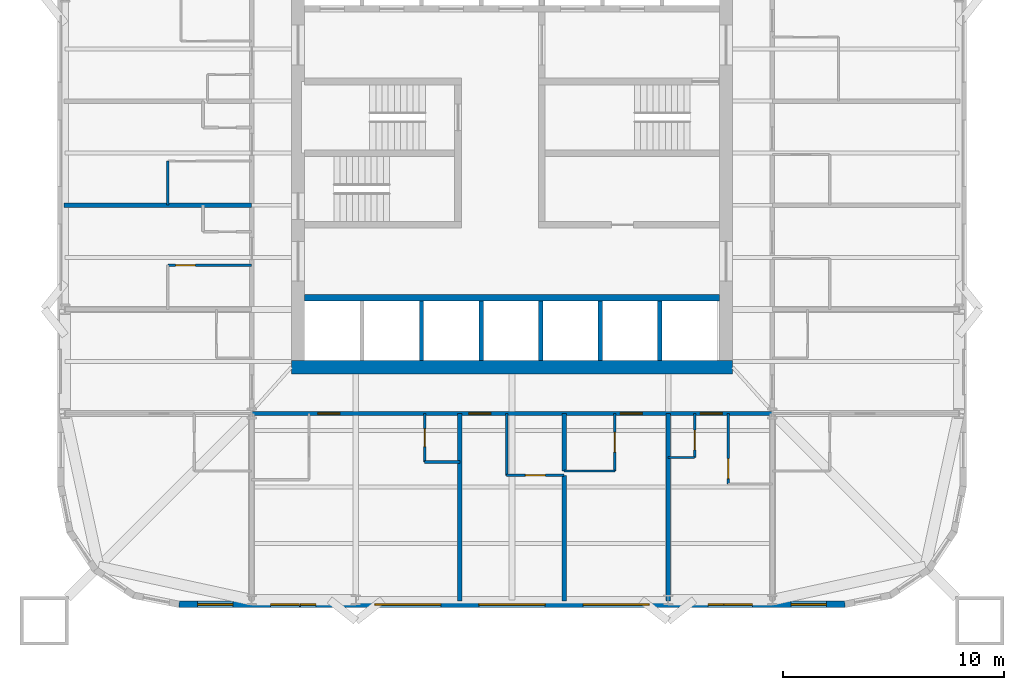
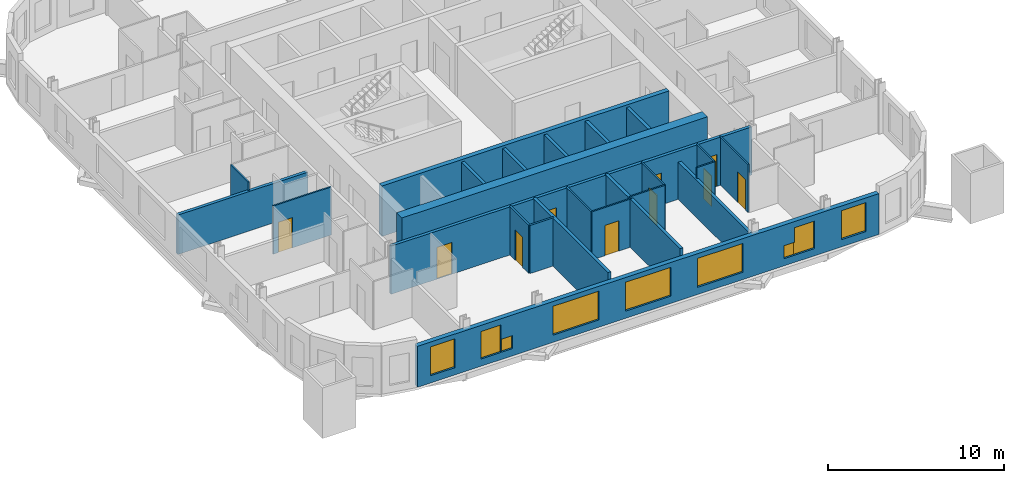
# One storey, part 3 of 9: 25 walls, 10 doors, 9 windows, 19 openings.
"""IFC4 building model written with IfcOpenShell, lengths in metres."""

from ifc_helpers import new_model, si_unit, direction, frame, frame_2d, origin, place, context, subcontext, project, spatial, rectangle, extrude, material, layer, layer_set, type_object, element, fill, save


model = new_model("IFC4")

# Units and contexts
model_context = context("Model", 3, precision=1e-05, world=origin(), true_north=direction((0.0, 1.0)))
body_context = subcontext(model_context, "Body", "Model", "MODEL_VIEW")
ifc_project = project(units=[si_unit("LENGTHUNIT", "METRE"), si_unit("AREAUNIT", "SQUARE_METRE"), si_unit("VOLUMEUNIT", "CUBIC_METRE"), si_unit("PLANEANGLEUNIT", "RADIAN"), si_unit("MASSUNIT", "GRAM", prefix="KILO")], contexts=[model_context])

# Site, building, storey
site_placement = place(None, origin())
site = spatial("IfcSite", under=ifc_project, at=site_placement, CompositionType="ELEMENT")
building_placement = place(site_placement, origin())
building = spatial("IfcBuilding", under=site, at=building_placement, Name="Turquesa Mirador Hotel Tower", CompositionType="ELEMENT")
storey_placement = place(building_placement, frame((0.0, 0.0, 135.39990234375)))
storey = spatial("IfcBuildingStorey", under=building, at=storey_placement, Name="L36", CompositionType="ELEMENT", Elevation=135.39990234375)

# Walls
ifc_material_1 = material(Name="Gypsum board on steel studs", Category="steel")
ifc_layer_1 = layer(ifc_material_1, 0.10009765625)
ifc_layer_set_1 = layer_set([ifc_layer_1], Name="BATHROOM WALL 100")
wall_type_1 = type_object("IfcWallType", Name="BATHROOM WALL 100", PredefinedType="PARTITIONING", material=ifc_layer_set_1)
wall_1_placement = place(storey_placement, frame((62.080078125, 31.199951171875, 0.0), z_axis=(0.0, 0.0, 1.0), x_axis=(1.0, 0.0, 0.0)))
element("IfcWall", 1, at=wall_1_placement, inside=storey, type_object=wall_type_1, Name="Partition L36 008", PredefinedType="PARTITIONING", context=body_context, shape_type="SweptSolid", body=[
    extrude(rectangle(XDim=1.199951171875, YDim=0.10009765625, at=frame_2d((0.60009765625, 0.0))), origin(), (0.0, 0.0, 1.0), 3.330078125),
])
wall_2_placement = place(storey_placement, frame((57.360107421875, 30.60009765625, 0.0), z_axis=(0.0, 0.0, 1.0), x_axis=(1.0, 0.0, 0.0)))
element("IfcWall", 2, at=wall_2_placement, inside=storey, type_object=wall_type_1, Name="Partition L36 011", PredefinedType="PARTITIONING", context=body_context, shape_type="SweptSolid", body=[
    extrude(rectangle(XDim=2.2998046875, YDim=0.10009765625, at=frame_2d((1.14990234375, 0.0))), origin(), (0.0, 0.0, 1.0), 3.330078125),
])

# Wall, opening, door
wall_3_placement = place(storey_placement, frame((54.760009765625, 30.39990234375, 0.0), z_axis=(0.0, 0.0, 1.0), x_axis=(1.0, 0.0, 0.0)))
wall_3 = element("IfcWall", 3, at=wall_3_placement, inside=storey, type_object=wall_type_1, Name="Partition L36 013", PredefinedType="PARTITIONING", context=body_context, shape_type="SweptSolid", body=[
    extrude(rectangle(XDim=2.60009765625, YDim=0.10009765625, at=frame_2d((1.300048828125, 0.0))), origin(), (0.0, 0.0, 1.0), 3.330078125),
])
opening_1_placement = place(wall_3_placement, frame((0.85009765625, 0.0, 0.0)))
opening_1 = element("IfcOpeningElement", 4, at=opening_1_placement, cuts=wall_3, Name="Opening D02", PredefinedType="OPENING", context=body_context, shape_type="SweptSolid", body=[
    extrude(rectangle(XDim=0.89990234375, YDim=2.10009765625, at=frame_2d((0.449951171875, 1.050048828125))), frame((0.0, 0.06005859375, 0.0), z_axis=(0.0, -1.0, 0.0), x_axis=(1.0, 0.0, 0.0)), (0.0, 0.0, 1.0), 0.1201171875),
])
ifc_material_2 = material(Name="Timber veneered door", Category="wood")
door_type_1 = type_object("IfcDoorType", Name="DOOR 900X2100 EN-SUITE", OperationType="SINGLE_SWING_RIGHT", PredefinedType="DOOR", material=ifc_material_2)
door_1_placement = place(opening_1_placement, origin())
door_1 = element("IfcDoor", 5, at=door_1_placement, inside=storey, type_object=door_type_1, Name="Door 3605B", OperationType="SINGLE_SWING_RIGHT", OverallHeight=2.10009765625, OverallWidth=0.89990234375, PredefinedType="DOOR", context=body_context, shape_type="SweptSolid", body=[
    extrude(rectangle(XDim=0.89990234375, YDim=2.10009765625, at=frame_2d((0.449951171875, 1.050048828125))), frame((0.0, 0.02490234375, 0.0), z_axis=(0.0, -1.0, 0.0), x_axis=(1.0, 0.0, 0.0)), (0.0, 0.0, 1.0), 0.050048828125),
])
fill(opening_1, door_1)

wall_4_placement = place(storey_placement, frame((39.39990234375, 39.919921875, 0.0), z_axis=(0.0, 0.0, 1.0), x_axis=(1.0, 0.0, 0.0)))
wall_4 = element("IfcWall", 6, at=wall_4_placement, inside=storey, type_object=wall_type_1, Name="Partition L36 020", PredefinedType="PARTITIONING", context=body_context, shape_type="SweptSolid", body=[
    extrude(rectangle(XDim=3.800048828125, YDim=0.10009765625, at=frame_2d((1.89990234375, 0.0))), origin(), (0.0, 0.0, 1.0), 3.330078125),
])
opening_2_placement = place(wall_4_placement, frame((0.35009765625, 0.0, 0.0)))
opening_2 = element("IfcOpeningElement", 7, at=opening_2_placement, cuts=wall_4, Name="Opening D02", PredefinedType="OPENING", context=body_context, shape_type="SweptSolid", body=[
    extrude(rectangle(XDim=0.89990234375, YDim=2.10009765625, at=frame_2d((0.449951171875, 1.050048828125))), frame((0.0, 0.06005859375, 0.0), z_axis=(0.0, -1.0, 0.0), x_axis=(1.0, 0.0, 0.0)), (0.0, 0.0, 1.0), 0.1201171875),
])
door_2_placement = place(opening_2_placement, origin())
door_2 = element("IfcDoor", 8, at=door_2_placement, inside=storey, type_object=door_type_1, Name="Door 3611B", OperationType="SINGLE_SWING_RIGHT", OverallHeight=2.10009765625, OverallWidth=0.89990234375, PredefinedType="DOOR", context=body_context, shape_type="SweptSolid", body=[
    extrude(rectangle(XDim=0.89990234375, YDim=2.10009765625, at=frame_2d((0.449951171875, 1.050048828125))), frame((0.0, 0.02490234375, 0.0), z_axis=(0.0, -1.0, 0.0), x_axis=(1.0, 0.0, 0.0)), (0.0, 0.0, 1.0), 0.050048828125),
])
fill(opening_2, door_2)

# Walls
wall_5_placement = place(storey_placement, frame((54.760009765625, 30.39990234375, 0.0), z_axis=(0.0, 0.0, 1.0), x_axis=(0.0, 1.0, 0.0)))
element("IfcWall", 9, at=wall_5_placement, inside=storey, type_object=wall_type_1, Name="Partition L36 048", PredefinedType="PARTITIONING", context=body_context, shape_type="SweptSolid", body=[
    extrude(rectangle(XDim=2.800048828125, YDim=0.10009765625, at=frame_2d((1.39990234375, 0.0))), origin(), (0.0, 0.0, 1.0), 3.330078125),
])
wall_6_placement = place(storey_placement, frame((39.39990234375, 42.639892578125, 0.0), z_axis=(0.0, 0.0, 1.0), x_axis=(0.0, 1.0, 0.0)))
element("IfcWall", 10, at=wall_6_placement, inside=storey, type_object=wall_type_1, Name="Partition L36 063", PredefinedType="PARTITIONING", context=body_context, shape_type="SweptSolid", body=[
    extrude(rectangle(XDim=2.0, YDim=0.10009765625, at=frame_2d((1.0, 0.0))), origin(), (0.0, 0.0, 1.0), 3.330078125),
])

# Wall, opening, door
wall_7_placement = place(storey_placement, frame((59.659912109375, 30.60009765625, 0.0), z_axis=(0.0, 0.0, 1.0), x_axis=(0.0, 1.0, 0.0)))
wall_7 = element("IfcWall", 11, at=wall_7_placement, inside=storey, type_object=wall_type_1, Name="Partition L36 083", PredefinedType="PARTITIONING", context=body_context, shape_type="SweptSolid", body=[
    extrude(rectangle(XDim=2.599853515625, YDim=0.10009765625, at=frame_2d((1.2998046875, 0.0))), origin(), (0.0, 0.0, 1.0), 3.330078125),
])
opening_3_placement = place(wall_7_placement, frame((0.85009765625, 0.0, 0.0)))
opening_3 = element("IfcOpeningElement", 12, at=opening_3_placement, cuts=wall_7, Name="Opening D02", PredefinedType="OPENING", context=body_context, shape_type="SweptSolid", body=[
    extrude(rectangle(XDim=0.89990234375, YDim=2.10009765625, at=frame_2d((0.449951171875, 1.050048828125))), frame((0.0, 0.06005859375, 0.0), z_axis=(0.0, -1.0, 0.0), x_axis=(1.0, 0.0, 0.0)), (0.0, 0.0, 1.0), 0.1201171875),
])
door_3_placement = place(opening_3_placement, origin())
door_3 = element("IfcDoor", 13, at=door_3_placement, inside=storey, type_object=door_type_1, Name="Door 3606B", OperationType="SINGLE_SWING_RIGHT", OverallHeight=2.10009765625, OverallWidth=0.89990234375, PredefinedType="DOOR", context=body_context, shape_type="SweptSolid", body=[
    extrude(rectangle(XDim=0.89990234375, YDim=2.10009765625, at=frame_2d((0.449951171875, 1.050048828125))), frame((0.0, 0.02490234375, 0.0), z_axis=(0.0, -1.0, 0.0), x_axis=(1.0, 0.0, 0.0)), (0.0, 0.0, 1.0), 0.050048828125),
])
fill(opening_3, door_3)

wall_8_placement = place(storey_placement, frame((63.280029296875, 31.199951171875, 0.0), z_axis=(0.0, 0.0, 1.0), x_axis=(0.0, 1.0, 0.0)))
wall_8 = element("IfcWall", 14, at=wall_8_placement, inside=storey, type_object=wall_type_1, Name="Partition L36 086", PredefinedType="PARTITIONING", context=body_context, shape_type="SweptSolid", body=[
    extrude(rectangle(XDim=2.0, YDim=0.10009765625, at=frame_2d((1.0, 0.0))), origin(), (0.0, 0.0, 1.0), 3.330078125),
])
opening_4_placement = place(wall_8_placement, frame((0.35009765625, 0.0, 0.0)))
opening_4 = element("IfcOpeningElement", 15, at=opening_4_placement, cuts=wall_8, Name="Opening D06", PredefinedType="OPENING", context=body_context, shape_type="SweptSolid", body=[
    extrude(rectangle(XDim=0.89990234375, YDim=2.10009765625, at=frame_2d((0.449951171875, 1.050048828125))), frame((0.0, 0.06005859375, 0.0), z_axis=(0.0, -1.0, 0.0), x_axis=(1.0, 0.0, 0.0)), (0.0, 0.0, 1.0), 0.1201171875),
])
ifc_material_3 = material(Name="Laminate door", Category="wood")
door_type_2 = type_object("IfcDoorType", Name="DOOR 900X2100 WC", OperationType="SINGLE_SWING_LEFT", PredefinedType="DOOR", material=ifc_material_3)
door_4_placement = place(opening_4_placement, origin())
door_4 = element("IfcDoor", 16, at=door_4_placement, inside=storey, type_object=door_type_2, Name="Door 3607W", OperationType="SINGLE_SWING_LEFT", OverallHeight=2.10009765625, OverallWidth=0.89990234375, PredefinedType="DOOR", context=body_context, shape_type="SweptSolid", body=[
    extrude(rectangle(XDim=0.89990234375, YDim=2.10009765625, at=frame_2d((0.449951171875, 1.050048828125))), frame((0.0, 0.02490234375, 0.0), z_axis=(0.0, -1.0, 0.0), x_axis=(1.0, 0.0, 0.0)), (0.0, 0.0, 1.0), 0.050048828125),
])
fill(opening_4, door_4)

wall_9_placement = place(storey_placement, frame((64.800048828125, 30.0, 0.0), z_axis=(0.0, 0.0, 1.0), x_axis=(0.0, 1.0, 0.0)))
wall_9 = element("IfcWall", 17, at=wall_9_placement, inside=storey, type_object=wall_type_1, Name="Partition L36 088", PredefinedType="PARTITIONING", context=body_context, shape_type="SweptSolid", body=[
    extrude(rectangle(XDim=3.199951171875, YDim=0.10009765625, at=frame_2d((1.60009765625, 0.0))), origin(), (0.0, 0.0, 1.0), 3.330078125),
])
opening_5_placement = place(wall_9_placement, frame((0.25, 0.0, 0.0)))
opening_5 = element("IfcOpeningElement", 18, at=opening_5_placement, cuts=wall_9, Name="Opening D02", PredefinedType="OPENING", context=body_context, shape_type="SweptSolid", body=[
    extrude(rectangle(XDim=0.89990234375, YDim=2.10009765625, at=frame_2d((0.449951171875, 1.050048828125))), frame((0.0, 0.06005859375, 0.0), z_axis=(0.0, -1.0, 0.0), x_axis=(1.0, 0.0, 0.0)), (0.0, 0.0, 1.0), 0.1201171875),
])
door_5_placement = place(opening_5_placement, origin())
door_5 = element("IfcDoor", 19, at=door_5_placement, inside=storey, type_object=door_type_1, Name="Door 3607B", OperationType="SINGLE_SWING_RIGHT", OverallHeight=2.10009765625, OverallWidth=0.89990234375, PredefinedType="DOOR", context=body_context, shape_type="SweptSolid", body=[
    extrude(rectangle(XDim=0.89990234375, YDim=2.10009765625, at=frame_2d((0.449951171875, 1.050048828125))), frame((0.0, 0.02490234375, 0.0), z_axis=(0.0, -1.0, 0.0), x_axis=(1.0, 0.0, 0.0)), (0.0, 0.0, 1.0), 0.050048828125),
])
fill(opening_5, door_5)

# Walls
ifc_material_4 = material(Name="Concrete C50/60", Category="concrete")
ifc_layer_2 = layer(ifc_material_4, 0.300048828125)
ifc_layer_set_2 = layer_set([ifc_layer_2], Name="CORE INNER WALL 300")
wall_type_2 = type_object("IfcWallType", Name="CORE INNER WALL 300", PredefinedType="SHEAR", material=ifc_layer_set_2)
wall_10_placement = place(storey_placement, frame((45.60009765625, 38.449951171875, 0.0), z_axis=(0.0, 0.0, 1.0), x_axis=(1.0, 0.0, 0.0)))
element("IfcWall", 20, at=wall_10_placement, inside=storey, type_object=wall_type_2, Name="Core wall SL", PredefinedType="SHEAR", context=body_context, shape_type="SweptSolid", body=[
    extrude(rectangle(XDim=18.7998046875, YDim=0.300048828125, at=frame_2d((9.39990234375, 0.0))), origin(), (0.0, 0.0, 1.0), 3.5),
])
ifc_material_5 = material(Name="Concrete C50/60", Category="concrete")
ifc_layer_3 = layer(ifc_material_5, 0.60009765625)
ifc_layer_set_3 = layer_set([ifc_layer_3], Name="CORE WALL 600")
wall_type_3 = type_object("IfcWallType", Name="CORE WALL 600", PredefinedType="SHEAR", material=ifc_layer_set_3)
wall_11_placement = place(storey_placement, frame((45.0, 35.300048828125, 0.0), z_axis=(0.0, 0.0, 1.0), x_axis=(1.0, 0.0, 0.0)))
element("IfcWall", 21, at=wall_11_placement, inside=storey, type_object=wall_type_3, Name="Core wall S", PredefinedType="SHEAR", context=body_context, shape_type="SweptSolid", body=[
    extrude(rectangle(XDim=20.0, YDim=0.60009765625, at=frame_2d((10.0, 0.0))), origin(), (0.0, 0.0, 1.0), 3.5),
])

# Wall, openings, doors
ifc_material_6 = material(Name="Fire-rated gypsum board on steel studs", Category="steel")
ifc_layer_4 = layer(ifc_material_6, 0.199951171875)
ifc_layer_set_4 = layer_set([ifc_layer_4], Name="CORRIDOR WALL 200")
wall_type_4 = type_object("IfcWallType", Name="CORRIDOR WALL 200", PredefinedType="PARTITIONING", material=ifc_layer_set_4)
wall_12_placement = place(storey_placement, frame((43.199951171875, 33.199951171875, 0.0), z_axis=(0.0, 0.0, 1.0), x_axis=(1.0, 0.0, 0.0)))
wall_12 = element("IfcWall", 22, at=wall_12_placement, inside=storey, type_object=wall_type_4, Name="Partition L36 005", PredefinedType="PARTITIONING", context=body_context, shape_type="SweptSolid", body=[
    extrude(rectangle(XDim=23.60009765625, YDim=0.199951171875, at=frame_2d((11.800048828125, 0.0))), origin(), (0.0, 0.0, 1.0), 3.330078125),
])
opening_6_placement = place(wall_12_placement, frame((3.0, 0.0, 0.0)))
opening_6 = element("IfcOpeningElement", 23, at=opening_6_placement, cuts=wall_12, Name="Opening D01", PredefinedType="OPENING", context=body_context, shape_type="SweptSolid", body=[
    extrude(rectangle(XDim=1.0, YDim=2.199951171875, at=frame_2d((0.5, 1.10009765625))), frame((0.0, 0.10986328125, 0.0), z_axis=(0.0, -1.0, 0.0), x_axis=(1.0, 0.0, 0.0)), (0.0, 0.0, 1.0), 0.219970703125),
])
opening_7_placement = place(wall_12_placement, frame((9.840087890625, 0.0, 0.0)))
opening_7 = element("IfcOpeningElement", 24, at=opening_7_placement, cuts=wall_12, Name="Opening D01", PredefinedType="OPENING", context=body_context, shape_type="SweptSolid", body=[
    extrude(rectangle(XDim=1.0, YDim=2.199951171875, at=frame_2d((0.5, 1.10009765625))), frame((0.0, 0.10986328125, 0.0), z_axis=(0.0, -1.0, 0.0), x_axis=(1.0, 0.0, 0.0)), (0.0, 0.0, 1.0), 0.219970703125),
])
opening_8_placement = place(wall_12_placement, frame((16.7099609375, 0.0, 0.0)))
opening_8 = element("IfcOpeningElement", 25, at=opening_8_placement, cuts=wall_12, Name="Opening D01", PredefinedType="OPENING", context=body_context, shape_type="SweptSolid", body=[
    extrude(rectangle(XDim=1.0, YDim=2.199951171875, at=frame_2d((0.5, 1.10009765625))), frame((0.0, 0.10986328125, 0.0), z_axis=(0.0, -1.0, 0.0), x_axis=(1.0, 0.0, 0.0)), (0.0, 0.0, 1.0), 0.219970703125),
])
opening_9_placement = place(wall_12_placement, frame((20.340087890625, 0.0, 0.0)))
opening_9 = element("IfcOpeningElement", 26, at=opening_9_placement, cuts=wall_12, Name="Opening D01", PredefinedType="OPENING", context=body_context, shape_type="SweptSolid", body=[
    extrude(rectangle(XDim=1.0, YDim=2.199951171875, at=frame_2d((0.5, 1.10009765625))), frame((0.0, 0.10986328125, 0.0), z_axis=(0.0, -1.0, 0.0), x_axis=(1.0, 0.0, 0.0)), (0.0, 0.0, 1.0), 0.219970703125),
])
ifc_material_7 = material(Name="Timber veneered fire door", Category="wood")
door_type_3 = type_object("IfcDoorType", Name="DOOR 1000X2200 GUEST ENTRY", OperationType="SINGLE_SWING_LEFT", PredefinedType="DOOR", material=ifc_material_7)
door_6_placement = place(opening_6_placement, origin())
door_6 = element("IfcDoor", 27, at=door_6_placement, inside=storey, type_object=door_type_3, Name="Door 3604", OperationType="SINGLE_SWING_LEFT", OverallHeight=2.199951171875, OverallWidth=1.0, PredefinedType="DOOR", context=body_context, shape_type="SweptSolid", body=[
    extrude(rectangle(XDim=1.0, YDim=2.199951171875, at=frame_2d((0.5, 1.10009765625))), frame((0.0, 0.02490234375, 0.0), z_axis=(0.0, -1.0, 0.0), x_axis=(1.0, 0.0, 0.0)), (0.0, 0.0, 1.0), 0.050048828125),
])
fill(opening_6, door_6)
door_7_placement = place(opening_7_placement, origin())
door_7 = element("IfcDoor", 28, at=door_7_placement, inside=storey, type_object=door_type_3, Name="Door 3605", OperationType="SINGLE_SWING_LEFT", OverallHeight=2.199951171875, OverallWidth=1.0, PredefinedType="DOOR", context=body_context, shape_type="SweptSolid", body=[
    extrude(rectangle(XDim=1.0, YDim=2.199951171875, at=frame_2d((0.5, 1.10009765625))), frame((0.0, 0.02490234375, 0.0), z_axis=(0.0, -1.0, 0.0), x_axis=(1.0, 0.0, 0.0)), (0.0, 0.0, 1.0), 0.050048828125),
])
fill(opening_7, door_7)
door_8_placement = place(opening_8_placement, origin())
door_8 = element("IfcDoor", 29, at=door_8_placement, inside=storey, type_object=door_type_3, Name="Door 3606", OperationType="SINGLE_SWING_LEFT", OverallHeight=2.199951171875, OverallWidth=1.0, PredefinedType="DOOR", context=body_context, shape_type="SweptSolid", body=[
    extrude(rectangle(XDim=1.0, YDim=2.199951171875, at=frame_2d((0.5, 1.10009765625))), frame((0.0, 0.02490234375, 0.0), z_axis=(0.0, -1.0, 0.0), x_axis=(1.0, 0.0, 0.0)), (0.0, 0.0, 1.0), 0.050048828125),
])
fill(opening_8, door_8)
door_9_placement = place(opening_9_placement, origin())
door_9 = element("IfcDoor", 30, at=door_9_placement, inside=storey, type_object=door_type_3, Name="Door 3607", OperationType="SINGLE_SWING_LEFT", OverallHeight=2.199951171875, OverallWidth=1.0, PredefinedType="DOOR", context=body_context, shape_type="SweptSolid", body=[
    extrude(rectangle(XDim=1.0, YDim=2.199951171875, at=frame_2d((0.5, 1.10009765625))), frame((0.0, 0.02490234375, 0.0), z_axis=(0.0, -1.0, 0.0), x_axis=(1.0, 0.0, 0.0)), (0.0, 0.0, 1.0), 0.050048828125),
])
fill(opening_9, door_9)

# Wall, openings, windows
ifc_material_8 = material(Name="Limestone cladding on concrete block", Category="masonry")
ifc_layer_5 = layer(ifc_material_8, 0.300048828125)
ifc_layer_set_5 = layer_set([ifc_layer_5], Name="FACADE WALL 300 STONE SCREEN")
wall_type_5 = type_object("IfcWallType", Name="FACADE WALL 300 STONE SCREEN", PredefinedType="SOLIDWALL", material=ifc_layer_set_5)
wall_13_placement = place(storey_placement, frame((39.89990234375, 24.550048828125, 0.0), z_axis=(0.0, 0.0, 1.0), x_axis=(1.0, 0.0, 0.0)))
wall_13 = element("IfcWall", 31, at=wall_13_placement, inside=storey, type_object=wall_type_5, Name="Facade wall L36 19", PredefinedType="SOLIDWALL", context=body_context, shape_type="SweptSolid", body=[
    extrude(rectangle(XDim=30.2001953125, YDim=0.300048828125, at=frame_2d((15.10009765625, 0.0))), origin(), (0.0, 0.0, 1.0), 2.830078125),
])
opening_10_placement = place(wall_13_placement, frame((0.85009765625, 0.0, 0.5)))
opening_10 = element("IfcOpeningElement", 32, at=opening_10_placement, cuts=wall_13, Name="Opening WN3", PredefinedType="OPENING", context=body_context, shape_type="SweptSolid", body=[
    extrude(rectangle(XDim=1.60009765625, YDim=2.0, at=frame_2d((0.800048828125, 1.0))), frame((0.0, 0.159912109375, 0.0), z_axis=(0.0, -1.0, 0.0), x_axis=(1.0, 0.0, 0.0)), (0.0, 0.0, 1.0), 0.320068359375),
])
opening_11_placement = place(wall_13_placement, frame((4.159912109375, 0.0, 0.5)))
opening_11 = element("IfcOpeningElement", 33, at=opening_11_placement, cuts=wall_13, Name="Opening WN27", PredefinedType="OPENING", context=body_context, shape_type="SweptSolid", body=[
    extrude(rectangle(XDim=1.300048828125, YDim=1.89990234375, at=frame_2d((0.64990234375, 0.949951171875))), frame((0.0, 0.159912109375, 0.0), z_axis=(0.0, -1.0, 0.0), x_axis=(1.0, 0.0, 0.0)), (0.0, 0.0, 1.0), 0.320068359375),
])
opening_12_placement = place(wall_13_placement, frame((8.8798828125, 0.0, 0.5)))
opening_12 = element("IfcOpeningElement", 34, at=opening_12_placement, cuts=wall_13, Name="Opening WN1", PredefinedType="OPENING", context=body_context, shape_type="SweptSolid", body=[
    extrude(rectangle(XDim=3.0, YDim=2.0, at=frame_2d((1.5, 1.0))), frame((0.0, 0.159912109375, 0.0), z_axis=(0.0, -1.0, 0.0), x_axis=(1.0, 0.0, 0.0)), (0.0, 0.0, 1.0), 0.320068359375),
])
opening_13_placement = place(wall_13_placement, frame((13.60009765625, 0.0, 0.5)))
opening_13 = element("IfcOpeningElement", 35, at=opening_13_placement, cuts=wall_13, Name="Opening WN1", PredefinedType="OPENING", context=body_context, shape_type="SweptSolid", body=[
    extrude(rectangle(XDim=3.0, YDim=2.0, at=frame_2d((1.5, 1.0))), frame((0.0, 0.159912109375, 0.0), z_axis=(0.0, -1.0, 0.0), x_axis=(1.0, 0.0, 0.0)), (0.0, 0.0, 1.0), 0.320068359375),
])
opening_14_placement = place(wall_13_placement, frame((18.320068359375, 0.0, 0.5)))
opening_14 = element("IfcOpeningElement", 36, at=opening_14_placement, cuts=wall_13, Name="Opening WN1", PredefinedType="OPENING", context=body_context, shape_type="SweptSolid", body=[
    extrude(rectangle(XDim=3.0, YDim=2.0, at=frame_2d((1.5, 1.0))), frame((0.0, 0.159912109375, 0.0), z_axis=(0.0, -1.0, 0.0), x_axis=(1.0, 0.0, 0.0)), (0.0, 0.0, 1.0), 0.320068359375),
])
opening_15_placement = place(wall_13_placement, frame((24.68994140625, 0.0, 0.5)))
opening_15 = element("IfcOpeningElement", 37, at=opening_15_placement, cuts=wall_13, Name="Opening WN27", PredefinedType="OPENING", context=body_context, shape_type="SweptSolid", body=[
    extrude(rectangle(XDim=1.300048828125, YDim=1.89990234375, at=frame_2d((0.64990234375, 0.949951171875))), frame((0.0, 0.159912109375, 0.0), z_axis=(0.0, -1.0, 0.0), x_axis=(1.0, 0.0, 0.0)), (0.0, 0.0, 1.0), 0.320068359375),
])
opening_16_placement = place(wall_13_placement, frame((27.75, 0.0, 0.5)))
opening_16 = element("IfcOpeningElement", 38, at=opening_16_placement, cuts=wall_13, Name="Opening WN3", PredefinedType="OPENING", context=body_context, shape_type="SweptSolid", body=[
    extrude(rectangle(XDim=1.60009765625, YDim=2.0, at=frame_2d((0.800048828125, 1.0))), frame((0.0, 0.159912109375, 0.0), z_axis=(0.0, -1.0, 0.0), x_axis=(1.0, 0.0, 0.0)), (0.0, 0.0, 1.0), 0.320068359375),
])
opening_17_placement = place(wall_13_placement, frame((5.510009765625, 0.0, 0.5)))
opening_17 = element("IfcOpeningElement", 39, at=opening_17_placement, cuts=wall_13, Name="Opening WN31", PredefinedType="OPENING", context=body_context, shape_type="SweptSolid", body=[
    extrude(rectangle(XDim=0.699951171875, YDim=0.89990234375, at=frame_2d((0.35009765625, 0.449951171875))), frame((0.0, 0.159912109375, 0.0), z_axis=(0.0, -1.0, 0.0), x_axis=(1.0, 0.0, 0.0)), (0.0, 0.0, 1.0), 0.320068359375),
])
opening_18_placement = place(wall_13_placement, frame((23.989990234375, 0.0, 0.5)))
opening_18 = element("IfcOpeningElement", 40, at=opening_18_placement, cuts=wall_13, Name="Opening WN31", PredefinedType="OPENING", context=body_context, shape_type="SweptSolid", body=[
    extrude(rectangle(XDim=0.699951171875, YDim=0.89990234375, at=frame_2d((0.35009765625, 0.449951171875))), frame((0.0, 0.159912109375, 0.0), z_axis=(0.0, -1.0, 0.0), x_axis=(1.0, 0.0, 0.0)), (0.0, 0.0, 1.0), 0.320068359375),
])
ifc_material_9 = material(Name="Ceramic-fritted laminated glass", Category="glass")
window_type_1 = type_object("IfcWindowType", Name="FRITTED WINDOW 1300X1900", PartitioningType="DOUBLE_PANEL_HORIZONTAL", PredefinedType="WINDOW", material=ifc_material_9)
window_1_placement = place(opening_11_placement, origin())
window_1 = element("IfcWindow", 41, at=window_1_placement, inside=storey, type_object=window_type_1, Name="Window L36", OverallHeight=1.89990234375, OverallWidth=1.300048828125, PartitioningType="SINGLE_PANEL", PredefinedType="WINDOW", context=body_context, shape_type="SweptSolid", body=[
    extrude(rectangle(XDim=1.300048828125, YDim=1.89990234375, at=frame_2d((0.64990234375, 0.949951171875))), frame((0.0, 0.030029296875, 0.0), z_axis=(0.0, -1.0, 0.0), x_axis=(1.0, 0.0, 0.0)), (0.0, 0.0, 1.0), 0.06005859375),
])
fill(opening_11, window_1)
window_2_placement = place(opening_15_placement, origin())
window_2 = element("IfcWindow", 42, at=window_2_placement, inside=storey, type_object=window_type_1, Name="Window L36", OverallHeight=1.89990234375, OverallWidth=1.300048828125, PartitioningType="SINGLE_PANEL", PredefinedType="WINDOW", context=body_context, shape_type="SweptSolid", body=[
    extrude(rectangle(XDim=1.300048828125, YDim=1.89990234375, at=frame_2d((0.64990234375, 0.949951171875))), frame((0.0, 0.030029296875, 0.0), z_axis=(0.0, -1.0, 0.0), x_axis=(1.0, 0.0, 0.0)), (0.0, 0.0, 1.0), 0.06005859375),
])
fill(opening_15, window_2)
ifc_material_10 = material(Name="Ceramic-fritted laminated glass", Category="glass")
window_type_2 = type_object("IfcWindowType", Name="FRITTED WINDOW 1600X2000", PartitioningType="DOUBLE_PANEL_HORIZONTAL", PredefinedType="WINDOW", material=ifc_material_10)
window_3_placement = place(opening_10_placement, origin())
window_3 = element("IfcWindow", 43, at=window_3_placement, inside=storey, type_object=window_type_2, Name="Window L36", OverallHeight=2.0, OverallWidth=1.60009765625, PartitioningType="SINGLE_PANEL", PredefinedType="WINDOW", context=body_context, shape_type="SweptSolid", body=[
    extrude(rectangle(XDim=1.60009765625, YDim=2.0, at=frame_2d((0.800048828125, 1.0))), frame((0.0, 0.030029296875, 0.0), z_axis=(0.0, -1.0, 0.0), x_axis=(1.0, 0.0, 0.0)), (0.0, 0.0, 1.0), 0.06005859375),
])
fill(opening_10, window_3)
window_4_placement = place(opening_16_placement, origin())
window_4 = element("IfcWindow", 44, at=window_4_placement, inside=storey, type_object=window_type_2, Name="Window L36", OverallHeight=2.0, OverallWidth=1.60009765625, PartitioningType="SINGLE_PANEL", PredefinedType="WINDOW", context=body_context, shape_type="SweptSolid", body=[
    extrude(rectangle(XDim=1.60009765625, YDim=2.0, at=frame_2d((0.800048828125, 1.0))), frame((0.0, 0.030029296875, 0.0), z_axis=(0.0, -1.0, 0.0), x_axis=(1.0, 0.0, 0.0)), (0.0, 0.0, 1.0), 0.06005859375),
])
fill(opening_16, window_4)
ifc_material_11 = material(Name="Ceramic-fritted laminated glass", Category="glass")
window_type_3 = type_object("IfcWindowType", Name="FRITTED WINDOW 3000X2000", PartitioningType="DOUBLE_PANEL_HORIZONTAL", PredefinedType="WINDOW", material=ifc_material_11)
window_5_placement = place(opening_12_placement, origin())
window_5 = element("IfcWindow", 45, at=window_5_placement, inside=storey, type_object=window_type_3, Name="Window L36", OverallHeight=2.0, OverallWidth=3.0, PartitioningType="SINGLE_PANEL", PredefinedType="WINDOW", context=body_context, shape_type="SweptSolid", body=[
    extrude(rectangle(XDim=3.0, YDim=2.0, at=frame_2d((1.5, 1.0))), frame((0.0, 0.030029296875, 0.0), z_axis=(0.0, -1.0, 0.0), x_axis=(1.0, 0.0, 0.0)), (0.0, 0.0, 1.0), 0.06005859375),
])
fill(opening_12, window_5)
window_6_placement = place(opening_13_placement, origin())
window_6 = element("IfcWindow", 46, at=window_6_placement, inside=storey, type_object=window_type_3, Name="Window L36", OverallHeight=2.0, OverallWidth=3.0, PartitioningType="SINGLE_PANEL", PredefinedType="WINDOW", context=body_context, shape_type="SweptSolid", body=[
    extrude(rectangle(XDim=3.0, YDim=2.0, at=frame_2d((1.5, 1.0))), frame((0.0, 0.030029296875, 0.0), z_axis=(0.0, -1.0, 0.0), x_axis=(1.0, 0.0, 0.0)), (0.0, 0.0, 1.0), 0.06005859375),
])
fill(opening_13, window_6)
window_7_placement = place(opening_14_placement, origin())
window_7 = element("IfcWindow", 47, at=window_7_placement, inside=storey, type_object=window_type_3, Name="Window L36", OverallHeight=2.0, OverallWidth=3.0, PartitioningType="SINGLE_PANEL", PredefinedType="WINDOW", context=body_context, shape_type="SweptSolid", body=[
    extrude(rectangle(XDim=3.0, YDim=2.0, at=frame_2d((1.5, 1.0))), frame((0.0, 0.030029296875, 0.0), z_axis=(0.0, -1.0, 0.0), x_axis=(1.0, 0.0, 0.0)), (0.0, 0.0, 1.0), 0.06005859375),
])
fill(opening_14, window_7)
ifc_material_12 = material(Name="Ceramic-fritted laminated glass", Category="glass")
window_type_4 = type_object("IfcWindowType", Name="FRITTED WINDOW 700X900", PartitioningType="DOUBLE_PANEL_HORIZONTAL", PredefinedType="WINDOW", material=ifc_material_12)
window_8_placement = place(opening_17_placement, origin())
window_8 = element("IfcWindow", 48, at=window_8_placement, inside=storey, type_object=window_type_4, Name="Window L36", OverallHeight=0.89990234375, OverallWidth=0.699951171875, PartitioningType="SINGLE_PANEL", PredefinedType="WINDOW", context=body_context, shape_type="SweptSolid", body=[
    extrude(rectangle(XDim=0.699951171875, YDim=0.89990234375, at=frame_2d((0.35009765625, 0.449951171875))), frame((0.0, 0.030029296875, 0.0), z_axis=(0.0, -1.0, 0.0), x_axis=(1.0, 0.0, 0.0)), (0.0, 0.0, 1.0), 0.06005859375),
])
fill(opening_17, window_8)
window_9_placement = place(opening_18_placement, origin())
window_9 = element("IfcWindow", 49, at=window_9_placement, inside=storey, type_object=window_type_4, Name="Window L36", OverallHeight=0.89990234375, OverallWidth=0.699951171875, PartitioningType="SINGLE_PANEL", PredefinedType="WINDOW", context=body_context, shape_type="SweptSolid", body=[
    extrude(rectangle(XDim=0.699951171875, YDim=0.89990234375, at=frame_2d((0.35009765625, 0.449951171875))), frame((0.0, 0.030029296875, 0.0), z_axis=(0.0, -1.0, 0.0), x_axis=(1.0, 0.0, 0.0)), (0.0, 0.0, 1.0), 0.06005859375),
])
fill(opening_18, window_9)

# Walls
ifc_material_13 = material(Name="Fire-rated gypsum shaft wall on steel studs", Category="steel")
ifc_layer_6 = layer(ifc_material_13, 0.199951171875)
ifc_layer_set_6 = layer_set([ifc_layer_6], Name="LIFT SHAFT DIVIDER 200")
wall_type_6 = type_object("IfcWallType", Name="LIFT SHAFT DIVIDER 200", PredefinedType="PARTITIONING", material=ifc_layer_set_6)
for number, where, z_axis, x_axis, name in (
    (50, (50.89990234375, 35.60009765625, 0.0), (0.0, 0.0, 1.0), (0.0, 1.0, 0.0), "Lift shaft divider"),
    (51, (53.60009765625, 35.60009765625, 0.0), (0.0, 0.0, 1.0), (0.0, 1.0, 0.0), "Lift shaft divider"),
    (52, (56.300048828125, 35.60009765625, 0.0), (0.0, 0.0, 1.0), (0.0, 1.0, 0.0), "Lift shaft divider"),
    (53, (59.0, 35.60009765625, 0.0), (0.0, 0.0, 1.0), (0.0, 1.0, 0.0), "Lift shaft divider"),
    (54, (61.699951171875, 35.60009765625, 0.0), (0.0, 0.0, 1.0), (0.0, 1.0, 0.0), "Lift shaft divider"),
):
    element("IfcWall", number, at=place(storey_placement, frame(where, z_axis=z_axis, x_axis=x_axis)), inside=storey, type_object=wall_type_6, Name=name, PredefinedType="PARTITIONING", context=body_context, shape_type="SweptSolid", body=[
        extrude(rectangle(XDim=2.699951171875, YDim=0.199951171875, at=frame_2d((1.35009765625, 0.0))), origin(), (0.0, 0.0, 1.0), 3.330078125),
    ])
ifc_material_14 = material(Name="Fire-rated gypsum board on steel studs", Category="steel")
ifc_layer_7 = layer(ifc_material_14, 0.199951171875)
ifc_layer_set_7 = layer_set([ifc_layer_7], Name="PARTY WALL 200")
wall_type_7 = type_object("IfcWallType", Name="PARTY WALL 200", PredefinedType="PARTITIONING", material=ifc_layer_set_7)
wall_14_placement = place(storey_placement, frame((34.699951171875, 42.639892578125, 0.0), z_axis=(0.0, 0.0, 1.0), x_axis=(1.0, 0.0, 0.0)))
element("IfcWall", 55, at=wall_14_placement, inside=storey, type_object=wall_type_7, Name="Partition L36 016", PredefinedType="PARTITIONING", context=body_context, shape_type="SweptSolid", body=[
    extrude(rectangle(XDim=8.5, YDim=0.199951171875, at=frame_2d((4.25, 0.0))), origin(), (0.0, 0.0, 1.0), 2.730712890625),
])
wall_15_placement = place(storey_placement, frame((52.639892578125, 24.699951171875, 0.0), z_axis=(0.0, 0.0, 1.0), x_axis=(0.0, 1.0, 0.0)))
element("IfcWall", 56, at=wall_15_placement, inside=storey, type_object=wall_type_7, Name="Partition L36 064", PredefinedType="PARTITIONING", context=body_context, shape_type="SweptSolid", body=[
    extrude(rectangle(XDim=8.5, YDim=0.199951171875, at=frame_2d((4.25, 0.0))), origin(), (0.0, 0.0, 1.0), 3.330078125),
])
wall_16_placement = place(storey_placement, frame((57.360107421875, 24.699951171875, 0.0), z_axis=(0.0, 0.0, 1.0), x_axis=(0.0, 1.0, 0.0)))
element("IfcWall", 57, at=wall_16_placement, inside=storey, type_object=wall_type_7, Name="Partition L36 079", PredefinedType="PARTITIONING", context=body_context, shape_type="SweptSolid", body=[
    extrude(rectangle(XDim=5.699951171875, YDim=0.199951171875, at=frame_2d((2.85009765625, 0.0))), origin(), (0.0, 0.0, 1.0), 3.330078125),
])
wall_17_placement = place(storey_placement, frame((57.360107421875, 30.60009765625, 0.0), z_axis=(0.0, 0.0, 1.0), x_axis=(0.0, 1.0, 0.0)))
element("IfcWall", 58, at=wall_17_placement, inside=storey, type_object=wall_type_7, Name="Partition L36 080", PredefinedType="PARTITIONING", context=body_context, shape_type="SweptSolid", body=[
    extrude(rectangle(XDim=2.599853515625, YDim=0.199951171875, at=frame_2d((1.2998046875, 0.0))), origin(), (0.0, 0.0, 1.0), 3.330078125),
])
wall_18_placement = place(storey_placement, frame((62.080078125, 24.699951171875, 0.0), z_axis=(0.0, 0.0, 1.0), x_axis=(0.0, 1.0, 0.0)))
element("IfcWall", 59, at=wall_18_placement, inside=storey, type_object=wall_type_7, Name="Partition L36 084", PredefinedType="PARTITIONING", context=body_context, shape_type="SweptSolid", body=[
    extrude(rectangle(XDim=8.5, YDim=0.199951171875, at=frame_2d((4.25, 0.0))), origin(), (0.0, 0.0, 1.0), 2.5732421875),
])
ifc_material_15 = material(Name="Acoustic gypsum board on steel studs", Category="steel")
ifc_layer_8 = layer(ifc_material_15, 0.125)
ifc_layer_set_8 = layer_set([ifc_layer_8], Name="SUITE PARTITION 125")
wall_type_8 = type_object("IfcWallType", Name="SUITE PARTITION 125", PredefinedType="PARTITIONING", material=ifc_layer_set_8)
wall_19_placement = place(storey_placement, frame((51.0400390625, 31.0, 0.0), z_axis=(0.0, 0.0, 1.0), x_axis=(1.0, 0.0, 0.0)))
element("IfcWall", 60, at=wall_19_placement, inside=storey, type_object=wall_type_8, Name="Partition L36 009", PredefinedType="PARTITIONING", context=body_context, shape_type="SweptSolid", body=[
    extrude(rectangle(XDim=1.599853515625, YDim=0.125, at=frame_2d((0.7998046875, 0.0))), origin(), (0.0, 0.0, 1.0), 3.330078125),
])

# Wall, opening, door
wall_20_placement = place(storey_placement, frame((51.0400390625, 31.0, 0.0), z_axis=(0.0, 0.0, 1.0), x_axis=(0.0, 1.0, 0.0)))
wall_20 = element("IfcWall", 61, at=wall_20_placement, inside=storey, type_object=wall_type_8, Name="Partition L36 066", PredefinedType="PARTITIONING", context=body_context, shape_type="SweptSolid", body=[
    extrude(rectangle(XDim=2.199951171875, YDim=0.125, at=frame_2d((1.10009765625, 0.0))), origin(), (0.0, 0.0, 1.0), 3.330078125),
])
opening_19_placement = place(wall_20_placement, frame((0.699951171875, 0.0, 0.0)))
opening_19 = element("IfcOpeningElement", 62, at=opening_19_placement, cuts=wall_20, Name="Opening D20", PredefinedType="OPENING", context=body_context, shape_type="SweptSolid", body=[
    extrude(rectangle(XDim=0.800048828125, YDim=2.10009765625, at=frame_2d((0.39990234375, 1.050048828125))), frame((0.0, 0.072509765625, 0.0), z_axis=(0.0, -1.0, 0.0), x_axis=(1.0, 0.0, 0.0)), (0.0, 0.0, 1.0), 0.14501953125),
])
ifc_material_16 = material(Name="Timber veneered sliding door", Category="wood")
door_type_4 = type_object("IfcDoorType", Name="DOOR 800X2100 WARDROBE", OperationType="SLIDING_TO_LEFT", PredefinedType="DOOR", material=ifc_material_16)
door_10_placement = place(opening_19_placement, origin())
door_10 = element("IfcDoor", 63, at=door_10_placement, inside=storey, type_object=door_type_4, Name="Door 3604W", OperationType="SLIDING_TO_LEFT", OverallHeight=2.10009765625, OverallWidth=0.800048828125, PredefinedType="DOOR", context=body_context, shape_type="SweptSolid", body=[
    extrude(rectangle(XDim=0.800048828125, YDim=2.10009765625, at=frame_2d((0.39990234375, 1.050048828125))), frame((0.0, 0.02490234375, 0.0), z_axis=(0.0, -1.0, 0.0), x_axis=(1.0, 0.0, 0.0)), (0.0, 0.0, 1.0), 0.050048828125),
])
fill(opening_19, door_10)

save(model, "model.ifc")
